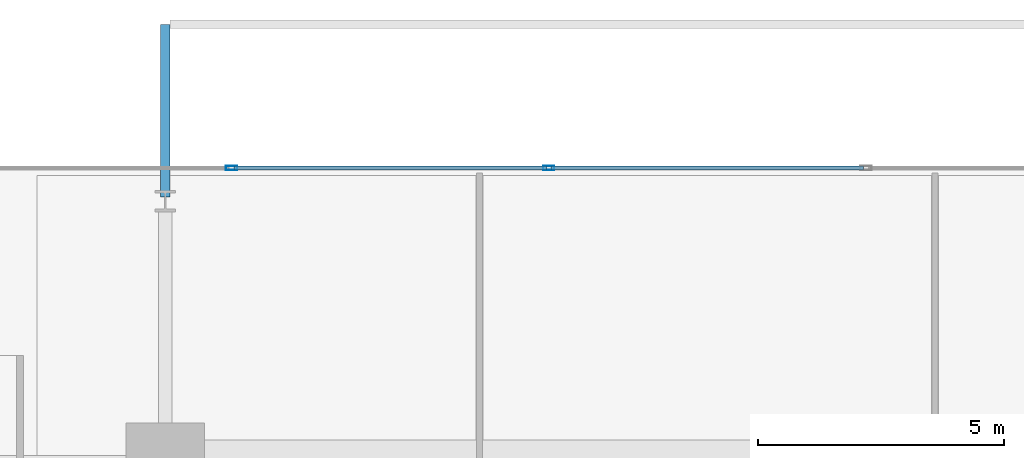
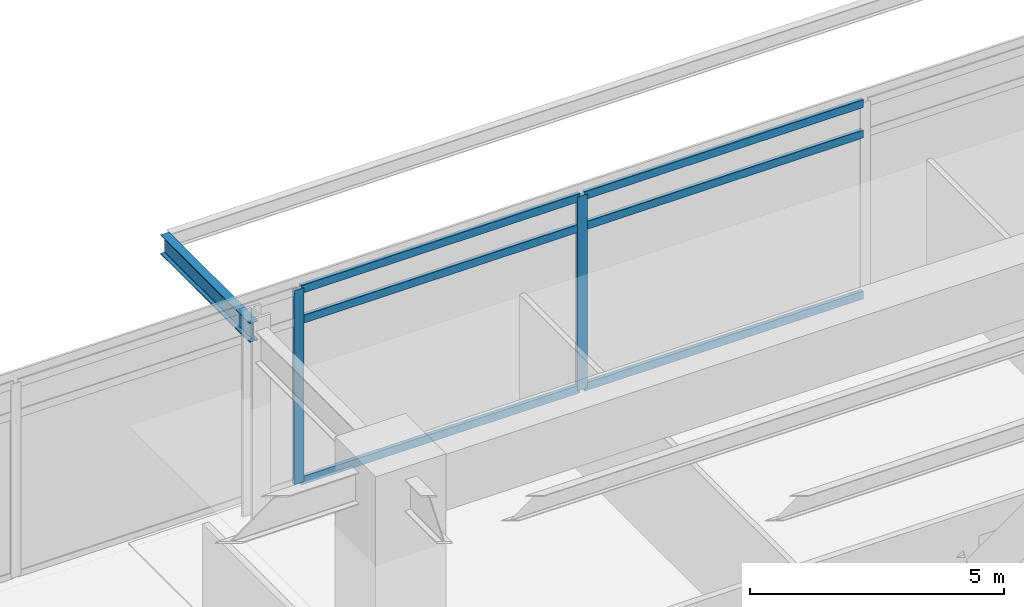
# One storey, part 10 of 24: 8 members, 1 beam, 1 element without a shape of its own.
"""IFC4 building model written with IfcOpenShell, lengths in metres."""

from ifc_helpers import new_model, si_unit, direction, frame, origin, origin_2d, place, context, subcontext, project, spatial, hollow_rectangle, i_section, extrude, material, material_profile, profile_set, type_object, element, aggregate, save


model = new_model("IFC4")

# Units and contexts
model_context = context("Model", 3, precision=1e-05, world=origin(), true_north=direction((0.0, 1.0)))
body_context = subcontext(model_context, "Body", "Model", "MODEL_VIEW")
ifc_project = project(units=[si_unit("LENGTHUNIT", "METRE"), si_unit("AREAUNIT", "SQUARE_METRE"), si_unit("VOLUMEUNIT", "CUBIC_METRE"), si_unit("PLANEANGLEUNIT", "RADIAN"), si_unit("MASSUNIT", "GRAM", prefix="KILO")], contexts=[model_context])

# Site, building, storey
site_placement = place(None, origin())
site = spatial("IfcSite", under=ifc_project, at=site_placement, CompositionType="ELEMENT")
building_placement = place(site_placement, origin())
building = spatial("IfcBuilding", under=site, at=building_placement, Name="Kovane Verandah Tower", CompositionType="ELEMENT")
storey_placement = place(building_placement, frame((0.0, 0.0, 118.39990234375)))
storey = spatial("IfcBuildingStorey", under=building, at=storey_placement, Name="L27", CompositionType="ELEMENT", Elevation=118.39990234375)

# Curtain wall, members
ifc_material_1 = material(Name="Champagne Anodised Aluminium Frame with Low-E Clear Laminated Glass", Category="aluminium")
curtain_wall_type = type_object("IfcCurtainWallType", Name="CW-SYS-03-MID", PredefinedType="NOTDEFINED", material=ifc_material_1)
curtain_wall_placement = place(storey_placement, origin())
curtain_wall = element("IfcCurtainWall", 1, at=curtain_wall_placement, inside=storey, type_object=curtain_wall_type, Name="L27 N Unitised Curtain Wall", PredefinedType="NOTDEFINED")
ifc_material_2 = material(Name="Champagne Anodised Aluminium 6063-T6", Category="aluminium")
ifc_material_profile_1 = material_profile(ifc_material_2, hollow_rectangle(XDim=0.0849609375, YDim=0.22998046875, WallThickness=0.00390625, at=origin_2d()), Name="AL85x230x4")
ifc_profile_set_1 = profile_set([ifc_material_profile_1], Name="Champagne Anodised Aluminium 6063-T6")
member_type_1 = type_object("IfcMemberType", Name="CW-MUL-85x230", PredefinedType="MULLION", material=ifc_profile_set_1)
member_1_placement = place(storey_placement, frame((36.781494140625, 50.1708984375, 0.02001953125), z_axis=(0.0, 0.0, 1.0), x_axis=(0.0, 1.0, 0.0)))
member_1 = element("IfcMember", 2, at=member_1_placement, type_object=member_type_1, Name="L27 N Unitised Curtain Wall Mullion 5", PredefinedType="MULLION", context=body_context, shape_type="SweptSolid", body=[
    extrude(hollow_rectangle(XDim=0.0849609375, YDim=0.22998046875, WallThickness=0.00390625, at=origin_2d()), origin(), (0.0, 0.0, 1.0), 4.66015625),
])
member_2_placement = place(storey_placement, frame((30.34423828125, 50.1708984375, 0.02001953125), z_axis=(0.0, 0.0, 1.0), x_axis=(0.0, 1.0, 0.0)))
member_2 = element("IfcMember", 3, at=member_2_placement, type_object=member_type_1, Name="L27 N Unitised Curtain Wall Mullion 6", PredefinedType="MULLION", context=body_context, shape_type="SweptSolid", body=[
    extrude(hollow_rectangle(XDim=0.0849609375, YDim=0.22998046875, WallThickness=0.00390625, at=origin_2d()), origin(), (0.0, 0.0, 1.0), 4.66015625),
])
ifc_material_profile_2 = material_profile(ifc_material_2, hollow_rectangle(XDim=0.0849609375, YDim=0.18994140625, WallThickness=0.00390625, at=origin_2d()), Name="AL85x190x4")
ifc_profile_set_2 = profile_set([ifc_material_profile_2], Name="Champagne Anodised Aluminium 6063-T6")
member_type_2 = type_object("IfcMemberType", Name="CW-TRN-85x190", PredefinedType="USERDEFINED", material=ifc_profile_set_2)
member_3_placement = place(storey_placement, frame((43.168701171875, 50.1708984375, 0.050048828125), z_axis=(-1.0, 0.0, 0.0), x_axis=(0.0, -1.0, 0.0)))
member_3 = element("IfcMember", 4, at=member_3_placement, type_object=member_type_2, Name="L27 N Unitised Curtain Wall Transom TB Bay 4", ObjectType="TRANSOM", PredefinedType="USERDEFINED", context=body_context, shape_type="SweptSolid", body=[
    extrude(hollow_rectangle(XDim=0.0849609375, YDim=0.18994140625, WallThickness=0.00390625, at=origin_2d()), origin(), (0.0, 0.0, 1.0), 6.33740234375),
])
member_4_placement = place(storey_placement, frame((43.168701171875, 50.1708984375, 3.920166015625), z_axis=(-1.0, 0.0, 0.0), x_axis=(0.0, -1.0, 0.0)))
member_4 = element("IfcMember", 5, at=member_4_placement, type_object=member_type_2, Name="L27 N Unitised Curtain Wall Transom TM Bay 4", ObjectType="TRANSOM", PredefinedType="USERDEFINED", context=body_context, shape_type="SweptSolid", body=[
    extrude(hollow_rectangle(XDim=0.0849609375, YDim=0.18994140625, WallThickness=0.00390625, at=origin_2d()), origin(), (0.0, 0.0, 1.0), 6.33740234375),
])
member_5_placement = place(storey_placement, frame((43.168701171875, 50.1708984375, 4.650146484375), z_axis=(-1.0, 0.0, 0.0), x_axis=(0.0, -1.0, 0.0)))
member_5 = element("IfcMember", 6, at=member_5_placement, type_object=member_type_2, Name="L27 N Unitised Curtain Wall Transom TT Bay 4", ObjectType="TRANSOM", PredefinedType="USERDEFINED", context=body_context, shape_type="SweptSolid", body=[
    extrude(hollow_rectangle(XDim=0.0849609375, YDim=0.18994140625, WallThickness=0.00390625, at=origin_2d()), origin(), (0.0, 0.0, 1.0), 6.33740234375),
])
member_6_placement = place(storey_placement, frame((36.7314453125, 50.1708984375, 0.050048828125), z_axis=(-1.0, 0.0, 0.0), x_axis=(0.0, -1.0, 0.0)))
member_6 = element("IfcMember", 7, at=member_6_placement, type_object=member_type_2, Name="L27 N Unitised Curtain Wall Transom TB Bay 5", ObjectType="TRANSOM", PredefinedType="USERDEFINED", context=body_context, shape_type="SweptSolid", body=[
    extrude(hollow_rectangle(XDim=0.0849609375, YDim=0.18994140625, WallThickness=0.00390625, at=origin_2d()), origin(), (0.0, 0.0, 1.0), 6.337158203125),
])
member_7_placement = place(storey_placement, frame((36.7314453125, 50.1708984375, 3.920166015625), z_axis=(-1.0, 0.0, 0.0), x_axis=(0.0, -1.0, 0.0)))
member_7 = element("IfcMember", 8, at=member_7_placement, type_object=member_type_2, Name="L27 N Unitised Curtain Wall Transom TM Bay 5", ObjectType="TRANSOM", PredefinedType="USERDEFINED", context=body_context, shape_type="SweptSolid", body=[
    extrude(hollow_rectangle(XDim=0.0849609375, YDim=0.18994140625, WallThickness=0.00390625, at=origin_2d()), origin(), (0.0, 0.0, 1.0), 6.337158203125),
])
member_8_placement = place(storey_placement, frame((36.7314453125, 50.1708984375, 4.650146484375), z_axis=(-1.0, 0.0, 0.0), x_axis=(0.0, -1.0, 0.0)))
member_8 = element("IfcMember", 9, at=member_8_placement, type_object=member_type_2, Name="L27 N Unitised Curtain Wall Transom TT Bay 5", ObjectType="TRANSOM", PredefinedType="USERDEFINED", context=body_context, shape_type="SweptSolid", body=[
    extrude(hollow_rectangle(XDim=0.0849609375, YDim=0.18994140625, WallThickness=0.00390625, at=origin_2d()), origin(), (0.0, 0.0, 1.0), 6.337158203125),
])
aggregate(curtain_wall, [member_1, member_2, member_3, member_4, member_5, member_6, member_7, member_8])

# Beam
ifc_material_3 = material(Name="Steel S355", Category="steel")
ifc_material_profile_3 = material_profile(ifc_material_3, i_section(OverallWidth=0.19287109375, OverallDepth=0.46728515625, WebThickness=0.011474609375, FlangeThickness=0.01953125, FilletRadius=0.01025390625, at=origin_2d()), Name="UB457x191x98")
ifc_profile_set_3 = profile_set([ifc_material_profile_3], Name="Steel S355")
beam_type = type_object("IfcBeamType", Name="JST-UB457x98", PredefinedType="JOIST", material=ifc_profile_set_3)
beam_placement = place(storey_placement, frame((29.0, 49.580078125, 4.466552734375), z_axis=(0.0, 1.0, 0.0), x_axis=(-1.0, 0.0, 0.0)))
element("IfcBeam", 10, at=beam_placement, inside=storey, type_object=beam_type, Name="L27 North Planter Girder 1", PredefinedType="JOIST", context=body_context, shape_type="SweptSolid", body=[
    extrude(i_section(OverallWidth=0.19287109375, OverallDepth=0.46728515625, WebThickness=0.011474609375, FlangeThickness=0.01953125, FilletRadius=0.01025390625, at=origin_2d()), origin(), (0.0, 0.0, 1.0), 3.509033203125),
])

save(model, "model.ifc")
